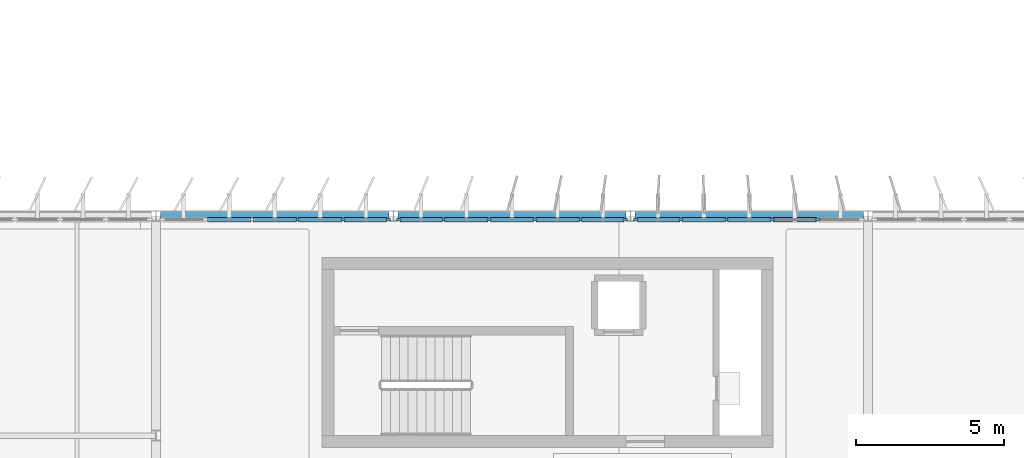
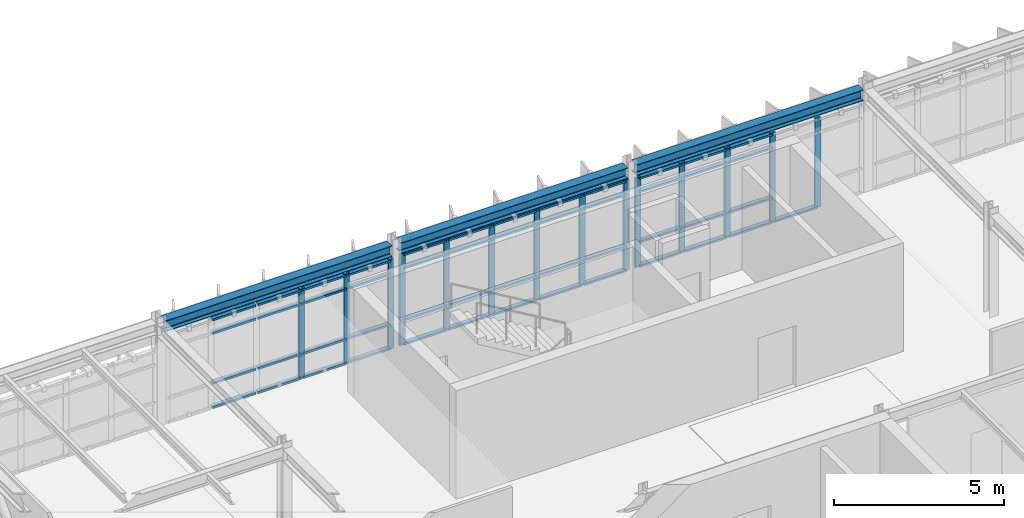
# One storey, part 13 of 45: 63 members, 3 beams, 3 elements without a shape of their own.
"""IFC4 building model written with IfcOpenShell, lengths in metres."""

from ifc_helpers import new_model, si_unit, direction, frame, origin, origin_2d, place, context, subcontext, project, spatial, rectangle, i_section, extrude, material, layer, layer_set, material_profile, profile_set, type_object, element, aggregate, save


model = new_model("IFC4")

# Units and contexts
model_context = context("Model", 3, precision=1e-05, world=origin(), true_north=direction((0.0, 1.0)))
body_context = subcontext(model_context, "Body", "Model", "MODEL_VIEW")
ifc_project = project(units=[si_unit("LENGTHUNIT", "METRE"), si_unit("AREAUNIT", "SQUARE_METRE"), si_unit("VOLUMEUNIT", "CUBIC_METRE"), si_unit("PLANEANGLEUNIT", "RADIAN"), si_unit("MASSUNIT", "GRAM", prefix="KILO")], contexts=[model_context])

# Site, building, storey
site_placement = place(None, origin())
site = spatial("IfcSite", under=ifc_project, at=site_placement, CompositionType="ELEMENT")
building_placement = place(site_placement, origin())
building = spatial("IfcBuilding", under=site, at=building_placement, Name="Valkorina Park Police Headquarters", CompositionType="ELEMENT")
storey_placement = place(building_placement, frame((0.0, 0.0, 23.300048828125)))
storey = spatial("IfcBuildingStorey", under=building, at=storey_placement, Name="L06", CompositionType="ELEMENT", Elevation=23.300048828125)

# Beams
ifc_material_1 = material(Name="Steel S355", Category="steel")
ifc_material_profile_1 = material_profile(ifc_material_1, i_section(OverallWidth=0.300048828125, OverallDepth=0.389892578125, WebThickness=0.010986328125, FlangeThickness=0.01904296875, FilletRadius=0.027099609375, at=origin_2d()), Name="HEA 400")
ifc_profile_set_1 = profile_set([ifc_material_profile_1], Name="Steel S355")
beam_type = type_object("IfcBeamType", Name="BM-S355-HEA400-SPN", PredefinedType="SPANDREL", material=ifc_profile_set_1)
for number, where, z_axis, x_axis, name in (
    (1, (32.949951171875, 59.199951171875, 3.48486328125), (1.0, 0.0, 0.0), (0.0, 1.0, 0.0), "L06 Framing Beam 2633"),
    (2, (40.949951171875, 59.199951171875, 3.48486328125), (1.0, 0.0, 0.0), (0.0, 1.0, 0.0), "L06 Framing Beam 2634"),
    (3, (48.949951171875, 59.199951171875, 3.48486328125), (1.0, 0.0, 0.0), (0.0, 1.0, 0.0), "L06 Framing Beam 2635"),
):
    element("IfcBeam", number, at=place(storey_placement, frame(where, z_axis=z_axis, x_axis=x_axis)), inside=storey, type_object=beam_type, Name=name, PredefinedType="SPANDREL", context=body_context, shape_type="SweptSolid", body=[
        extrude(i_section(OverallWidth=0.300048828125, OverallDepth=0.389892578125, WebThickness=0.010986328125, FlangeThickness=0.01904296875, FilletRadius=0.027099609375, at=origin_2d()), origin(), (0.0, 0.0, 1.0), 7.699951171875),
    ])

# Curtain wall, members
ifc_material_2 = material(Name="Thermally broken aluminium AW-6060", Category="aluminium")
ifc_layer_1 = layer(ifc_material_2, 0.18994140625)
ifc_layer_set_1 = layer_set([ifc_layer_1], Name="Thermally broken aluminium AW-6060")
curtain_wall_type_1 = type_object("IfcCurtainWallType", Name="CW-V5-7680x3220", PredefinedType="NOTDEFINED", material=ifc_layer_set_1)
curtain_wall_1_placement = place(storey_placement, origin())
curtain_wall_1 = element("IfcCurtainWall", 4, at=curtain_wall_1_placement, inside=storey, type_object=curtain_wall_type_1, Name="L06 Unitised Curtain Wall 104", PredefinedType="NOTDEFINED")
ifc_material_profile_2 = material_profile(ifc_material_2, rectangle(XDim=0.070068359375, YDim=0.18994140625, at=origin_2d()), Name="CWM-02 70x190")
ifc_profile_set_2 = profile_set([ifc_material_profile_2], Name="Thermally broken aluminium AW-6060")
member_type_1 = type_object("IfcMemberType", Name="CWM-70x190", PredefinedType="MULLION", material=ifc_profile_set_2)
member_1_placement = place(storey_placement, frame((37.568115234375, 59.080078125, 0.0), z_axis=(0.0, 0.0, 1.0), x_axis=(0.0, 1.0, 0.0)))
member_1 = element("IfcMember", 5, at=member_1_placement, type_object=member_type_1, Name="CW-V5-768-322 mullion 4", PredefinedType="MULLION", context=body_context, shape_type="SweptSolid", body=[
    extrude(rectangle(XDim=0.070068359375, YDim=0.18994140625, at=origin_2d()), origin(), (0.0, 0.0, 1.0), 3.219970703125),
])
member_2_placement = place(storey_placement, frame((39.10400390625, 59.080078125, 0.0), z_axis=(0.0, 0.0, 1.0), x_axis=(0.0, 1.0, 0.0)))
member_2 = element("IfcMember", 6, at=member_2_placement, type_object=member_type_1, Name="CW-V5-768-322 mullion 5", PredefinedType="MULLION", context=body_context, shape_type="SweptSolid", body=[
    extrude(rectangle(XDim=0.070068359375, YDim=0.18994140625, at=origin_2d()), origin(), (0.0, 0.0, 1.0), 3.219970703125),
])
member_3_placement = place(storey_placement, frame((40.60498046875, 59.080078125, 0.0), z_axis=(0.0, 0.0, 1.0), x_axis=(0.0, 1.0, 0.0)))
member_3 = element("IfcMember", 7, at=member_3_placement, type_object=member_type_1, Name="CW-V5-768-322 mullion 6", PredefinedType="MULLION", context=body_context, shape_type="SweptSolid", body=[
    extrude(rectangle(XDim=0.070068359375, YDim=0.18994140625, at=origin_2d()), origin(), (0.0, 0.0, 1.0), 3.219970703125),
])

ifc_layer_2 = layer(ifc_material_2, 0.18994140625)
ifc_layer_set_2 = layer_set([ifc_layer_2], Name="Thermally broken aluminium AW-6060")
curtain_wall_type_2 = type_object("IfcCurtainWallType", Name="CW-V5-7680x3280", PredefinedType="NOTDEFINED", material=ifc_layer_set_2)
curtain_wall_2_placement = place(storey_placement, origin())
curtain_wall_2 = element("IfcCurtainWall", 8, at=curtain_wall_2_placement, inside=storey, type_object=curtain_wall_type_2, Name="L06 Unitised Curtain Wall 105", PredefinedType="NOTDEFINED")
member_4_placement = place(storey_placement, frame((40.9951171875, 59.080078125, 0.0), z_axis=(0.0, 0.0, 1.0), x_axis=(0.0, 1.0, 0.0)))
member_4 = element("IfcMember", 9, at=member_4_placement, type_object=member_type_1, Name="CW-V5-768-328 mullion 1", PredefinedType="MULLION", context=body_context, shape_type="SweptSolid", body=[
    extrude(rectangle(XDim=0.070068359375, YDim=0.18994140625, at=origin_2d()), origin(), (0.0, 0.0, 1.0), 3.280029296875),
])
member_5_placement = place(storey_placement, frame((42.49609375, 59.080078125, 0.0), z_axis=(0.0, 0.0, 1.0), x_axis=(0.0, 1.0, 0.0)))
member_5 = element("IfcMember", 10, at=member_5_placement, type_object=member_type_1, Name="CW-V5-768-328 mullion 2", PredefinedType="MULLION", context=body_context, shape_type="SweptSolid", body=[
    extrude(rectangle(XDim=0.070068359375, YDim=0.18994140625, at=origin_2d()), origin(), (0.0, 0.0, 1.0), 3.280029296875),
])
member_6_placement = place(storey_placement, frame((44.031982421875, 59.080078125, 0.0), z_axis=(0.0, 0.0, 1.0), x_axis=(0.0, 1.0, 0.0)))
member_6 = element("IfcMember", 11, at=member_6_placement, type_object=member_type_1, Name="CW-V5-768-328 mullion 3", PredefinedType="MULLION", context=body_context, shape_type="SweptSolid", body=[
    extrude(rectangle(XDim=0.070068359375, YDim=0.18994140625, at=origin_2d()), origin(), (0.0, 0.0, 1.0), 3.280029296875),
])
member_7_placement = place(storey_placement, frame((45.568115234375, 59.080078125, 0.0), z_axis=(0.0, 0.0, 1.0), x_axis=(0.0, 1.0, 0.0)))
member_7 = element("IfcMember", 12, at=member_7_placement, type_object=member_type_1, Name="CW-V5-768-328 mullion 4", PredefinedType="MULLION", context=body_context, shape_type="SweptSolid", body=[
    extrude(rectangle(XDim=0.070068359375, YDim=0.18994140625, at=origin_2d()), origin(), (0.0, 0.0, 1.0), 3.280029296875),
])
member_8_placement = place(storey_placement, frame((47.10400390625, 59.080078125, 0.0), z_axis=(0.0, 0.0, 1.0), x_axis=(0.0, 1.0, 0.0)))
member_8 = element("IfcMember", 13, at=member_8_placement, type_object=member_type_1, Name="CW-V5-768-328 mullion 5", PredefinedType="MULLION", context=body_context, shape_type="SweptSolid", body=[
    extrude(rectangle(XDim=0.070068359375, YDim=0.18994140625, at=origin_2d()), origin(), (0.0, 0.0, 1.0), 3.280029296875),
])
member_9_placement = place(storey_placement, frame((48.60498046875, 59.080078125, 0.0), z_axis=(0.0, 0.0, 1.0), x_axis=(0.0, 1.0, 0.0)))
member_9 = element("IfcMember", 14, at=member_9_placement, type_object=member_type_1, Name="CW-V5-768-328 mullion 6", PredefinedType="MULLION", context=body_context, shape_type="SweptSolid", body=[
    extrude(rectangle(XDim=0.070068359375, YDim=0.18994140625, at=origin_2d()), origin(), (0.0, 0.0, 1.0), 3.280029296875),
])

curtain_wall_3_placement = place(storey_placement, origin())
curtain_wall_3 = element("IfcCurtainWall", 15, at=curtain_wall_3_placement, inside=storey, type_object=curtain_wall_type_1, Name="L06 Unitised Curtain Wall 106", PredefinedType="NOTDEFINED")
member_10_placement = place(storey_placement, frame((48.9951171875, 59.080078125, 0.0), z_axis=(0.0, 0.0, 1.0), x_axis=(0.0, 1.0, 0.0)))
member_10 = element("IfcMember", 16, at=member_10_placement, type_object=member_type_1, Name="CW-V5-768-322 mullion 1", PredefinedType="MULLION", context=body_context, shape_type="SweptSolid", body=[
    extrude(rectangle(XDim=0.070068359375, YDim=0.18994140625, at=origin_2d()), origin(), (0.0, 0.0, 1.0), 3.219970703125),
])
member_11_placement = place(storey_placement, frame((50.49609375, 59.080078125, 0.0), z_axis=(0.0, 0.0, 1.0), x_axis=(0.0, 1.0, 0.0)))
member_11 = element("IfcMember", 17, at=member_11_placement, type_object=member_type_1, Name="CW-V5-768-322 mullion 2", PredefinedType="MULLION", context=body_context, shape_type="SweptSolid", body=[
    extrude(rectangle(XDim=0.070068359375, YDim=0.18994140625, at=origin_2d()), origin(), (0.0, 0.0, 1.0), 3.219970703125),
])
member_12_placement = place(storey_placement, frame((52.031982421875, 59.080078125, 0.0), z_axis=(0.0, 0.0, 1.0), x_axis=(0.0, 1.0, 0.0)))
member_12 = element("IfcMember", 18, at=member_12_placement, type_object=member_type_1, Name="CW-V5-768-322 mullion 3", PredefinedType="MULLION", context=body_context, shape_type="SweptSolid", body=[
    extrude(rectangle(XDim=0.070068359375, YDim=0.18994140625, at=origin_2d()), origin(), (0.0, 0.0, 1.0), 3.219970703125),
])
member_13_placement = place(storey_placement, frame((53.568115234375, 59.080078125, 0.0), z_axis=(0.0, 0.0, 1.0), x_axis=(0.0, 1.0, 0.0)))
member_13 = element("IfcMember", 19, at=member_13_placement, type_object=member_type_1, Name="CW-V5-768-322 mullion 4", PredefinedType="MULLION", context=body_context, shape_type="SweptSolid", body=[
    extrude(rectangle(XDim=0.070068359375, YDim=0.18994140625, at=origin_2d()), origin(), (0.0, 0.0, 1.0), 3.219970703125),
])
member_14_placement = place(storey_placement, frame((55.10400390625, 59.080078125, 0.0), z_axis=(0.0, 0.0, 1.0), x_axis=(0.0, 1.0, 0.0)))
member_14 = element("IfcMember", 20, at=member_14_placement, type_object=member_type_1, Name="CW-V5-768-322 mullion 5", PredefinedType="MULLION", context=body_context, shape_type="SweptSolid", body=[
    extrude(rectangle(XDim=0.070068359375, YDim=0.18994140625, at=origin_2d()), origin(), (0.0, 0.0, 1.0), 3.219970703125),
])

# Member
ifc_material_profile_3 = material_profile(ifc_material_2, rectangle(XDim=0.14990234375, YDim=0.070068359375, at=origin_2d()), Name="CWT-02 150x70")
ifc_profile_set_3 = profile_set([ifc_material_profile_3], Name="Thermally broken aluminium AW-6060")
member_type_2 = type_object("IfcMemberType", Name="CWT-150x70", PredefinedType="USERDEFINED", material=ifc_profile_set_3)
member_15_placement = place(storey_placement, frame((34.531005859375, 59.080078125, 0.034912109375), z_axis=(1.0, 0.0, 0.0), x_axis=(0.0, 1.0, 0.0)))
member_15 = element("IfcMember", 21, at=member_15_placement, type_object=member_type_2, Name="CW-V5-768-322 transom 2.1", ObjectType="TRANSOM", PredefinedType="USERDEFINED", context=body_context, shape_type="SweptSolid", body=[
    extrude(rectangle(XDim=0.14990234375, YDim=0.070068359375, at=origin_2d()), origin(), (0.0, 0.0, 1.0), 1.466064453125),
])

member_16_placement = place(storey_placement, frame((34.531005859375, 59.080078125, 0.89990234375), z_axis=(1.0, 0.0, 0.0), x_axis=(0.0, 1.0, 0.0)))
member_16 = element("IfcMember", 22, at=member_16_placement, type_object=member_type_2, Name="CW-V5-768-322 transom 2.2", ObjectType="TRANSOM", PredefinedType="USERDEFINED", context=body_context, shape_type="SweptSolid", body=[
    extrude(rectangle(XDim=0.14990234375, YDim=0.070068359375, at=origin_2d()), origin(), (0.0, 0.0, 1.0), 1.466064453125),
])

member_17_placement = place(storey_placement, frame((34.531005859375, 59.080078125, 2.699951171875), z_axis=(1.0, 0.0, 0.0), x_axis=(0.0, 1.0, 0.0)))
member_17 = element("IfcMember", 23, at=member_17_placement, type_object=member_type_2, Name="CW-V5-768-322 transom 2.3", ObjectType="TRANSOM", PredefinedType="USERDEFINED", context=body_context, shape_type="SweptSolid", body=[
    extrude(rectangle(XDim=0.14990234375, YDim=0.070068359375, at=origin_2d()), origin(), (0.0, 0.0, 1.0), 1.466064453125),
])

member_18_placement = place(storey_placement, frame((34.531005859375, 59.080078125, 3.18505859375), z_axis=(1.0, 0.0, 0.0), x_axis=(0.0, 1.0, 0.0)))
member_18 = element("IfcMember", 24, at=member_18_placement, type_object=member_type_2, Name="CW-V5-768-322 transom 2.4", ObjectType="TRANSOM", PredefinedType="USERDEFINED", context=body_context, shape_type="SweptSolid", body=[
    extrude(rectangle(XDim=0.14990234375, YDim=0.070068359375, at=origin_2d()), origin(), (0.0, 0.0, 1.0), 1.466064453125),
])

member_19_placement = place(storey_placement, frame((36.06689453125, 59.080078125, 0.034912109375), z_axis=(1.0, 0.0, 0.0), x_axis=(0.0, 1.0, 0.0)))
member_19 = element("IfcMember", 25, at=member_19_placement, type_object=member_type_2, Name="CW-V5-768-322 transom 3.1", ObjectType="TRANSOM", PredefinedType="USERDEFINED", context=body_context, shape_type="SweptSolid", body=[
    extrude(rectangle(XDim=0.14990234375, YDim=0.070068359375, at=origin_2d()), origin(), (0.0, 0.0, 1.0), 1.466064453125),
])

member_20_placement = place(storey_placement, frame((36.06689453125, 59.080078125, 0.89990234375), z_axis=(1.0, 0.0, 0.0), x_axis=(0.0, 1.0, 0.0)))
member_20 = element("IfcMember", 26, at=member_20_placement, type_object=member_type_2, Name="CW-V5-768-322 transom 3.2", ObjectType="TRANSOM", PredefinedType="USERDEFINED", context=body_context, shape_type="SweptSolid", body=[
    extrude(rectangle(XDim=0.14990234375, YDim=0.070068359375, at=origin_2d()), origin(), (0.0, 0.0, 1.0), 1.466064453125),
])

member_21_placement = place(storey_placement, frame((36.06689453125, 59.080078125, 2.699951171875), z_axis=(1.0, 0.0, 0.0), x_axis=(0.0, 1.0, 0.0)))
member_21 = element("IfcMember", 27, at=member_21_placement, type_object=member_type_2, Name="CW-V5-768-322 transom 3.3", ObjectType="TRANSOM", PredefinedType="USERDEFINED", context=body_context, shape_type="SweptSolid", body=[
    extrude(rectangle(XDim=0.14990234375, YDim=0.070068359375, at=origin_2d()), origin(), (0.0, 0.0, 1.0), 1.466064453125),
])

member_22_placement = place(storey_placement, frame((36.06689453125, 59.080078125, 3.18505859375), z_axis=(1.0, 0.0, 0.0), x_axis=(0.0, 1.0, 0.0)))
member_22 = element("IfcMember", 28, at=member_22_placement, type_object=member_type_2, Name="CW-V5-768-322 transom 3.4", ObjectType="TRANSOM", PredefinedType="USERDEFINED", context=body_context, shape_type="SweptSolid", body=[
    extrude(rectangle(XDim=0.14990234375, YDim=0.070068359375, at=origin_2d()), origin(), (0.0, 0.0, 1.0), 1.466064453125),
])

member_23_placement = place(storey_placement, frame((37.60302734375, 59.080078125, 0.034912109375), z_axis=(1.0, 0.0, 0.0), x_axis=(0.0, 1.0, 0.0)))
member_23 = element("IfcMember", 29, at=member_23_placement, type_object=member_type_2, Name="CW-V5-768-322 transom 4.1", ObjectType="TRANSOM", PredefinedType="USERDEFINED", context=body_context, shape_type="SweptSolid", body=[
    extrude(rectangle(XDim=0.14990234375, YDim=0.070068359375, at=origin_2d()), origin(), (0.0, 0.0, 1.0), 1.466064453125),
])

member_24_placement = place(storey_placement, frame((37.60302734375, 59.080078125, 0.89990234375), z_axis=(1.0, 0.0, 0.0), x_axis=(0.0, 1.0, 0.0)))
member_24 = element("IfcMember", 30, at=member_24_placement, type_object=member_type_2, Name="CW-V5-768-322 transom 4.2", ObjectType="TRANSOM", PredefinedType="USERDEFINED", context=body_context, shape_type="SweptSolid", body=[
    extrude(rectangle(XDim=0.14990234375, YDim=0.070068359375, at=origin_2d()), origin(), (0.0, 0.0, 1.0), 1.466064453125),
])

member_25_placement = place(storey_placement, frame((37.60302734375, 59.080078125, 2.699951171875), z_axis=(1.0, 0.0, 0.0), x_axis=(0.0, 1.0, 0.0)))
member_25 = element("IfcMember", 31, at=member_25_placement, type_object=member_type_2, Name="CW-V5-768-322 transom 4.3", ObjectType="TRANSOM", PredefinedType="USERDEFINED", context=body_context, shape_type="SweptSolid", body=[
    extrude(rectangle(XDim=0.14990234375, YDim=0.070068359375, at=origin_2d()), origin(), (0.0, 0.0, 1.0), 1.466064453125),
])

member_26_placement = place(storey_placement, frame((37.60302734375, 59.080078125, 3.18505859375), z_axis=(1.0, 0.0, 0.0), x_axis=(0.0, 1.0, 0.0)))
member_26 = element("IfcMember", 32, at=member_26_placement, type_object=member_type_2, Name="CW-V5-768-322 transom 4.4", ObjectType="TRANSOM", PredefinedType="USERDEFINED", context=body_context, shape_type="SweptSolid", body=[
    extrude(rectangle(XDim=0.14990234375, YDim=0.070068359375, at=origin_2d()), origin(), (0.0, 0.0, 1.0), 1.466064453125),
])

member_27_placement = place(storey_placement, frame((39.138916015625, 59.080078125, 0.034912109375), z_axis=(1.0, 0.0, 0.0), x_axis=(0.0, 1.0, 0.0)))
member_27 = element("IfcMember", 33, at=member_27_placement, type_object=member_type_2, Name="CW-V5-768-322 transom 5.1", ObjectType="TRANSOM", PredefinedType="USERDEFINED", context=body_context, shape_type="SweptSolid", body=[
    extrude(rectangle(XDim=0.14990234375, YDim=0.070068359375, at=origin_2d()), origin(), (0.0, 0.0, 1.0), 1.43115234375),
])

member_28_placement = place(storey_placement, frame((39.138916015625, 59.080078125, 0.89990234375), z_axis=(1.0, 0.0, 0.0), x_axis=(0.0, 1.0, 0.0)))
member_28 = element("IfcMember", 34, at=member_28_placement, type_object=member_type_2, Name="CW-V5-768-322 transom 5.2", ObjectType="TRANSOM", PredefinedType="USERDEFINED", context=body_context, shape_type="SweptSolid", body=[
    extrude(rectangle(XDim=0.14990234375, YDim=0.070068359375, at=origin_2d()), origin(), (0.0, 0.0, 1.0), 1.43115234375),
])

member_29_placement = place(storey_placement, frame((39.138916015625, 59.080078125, 2.699951171875), z_axis=(1.0, 0.0, 0.0), x_axis=(0.0, 1.0, 0.0)))
member_29 = element("IfcMember", 35, at=member_29_placement, type_object=member_type_2, Name="CW-V5-768-322 transom 5.3", ObjectType="TRANSOM", PredefinedType="USERDEFINED", context=body_context, shape_type="SweptSolid", body=[
    extrude(rectangle(XDim=0.14990234375, YDim=0.070068359375, at=origin_2d()), origin(), (0.0, 0.0, 1.0), 1.43115234375),
])

member_30_placement = place(storey_placement, frame((39.138916015625, 59.080078125, 3.18505859375), z_axis=(1.0, 0.0, 0.0), x_axis=(0.0, 1.0, 0.0)))
member_30 = element("IfcMember", 36, at=member_30_placement, type_object=member_type_2, Name="CW-V5-768-322 transom 5.4", ObjectType="TRANSOM", PredefinedType="USERDEFINED", context=body_context, shape_type="SweptSolid", body=[
    extrude(rectangle(XDim=0.14990234375, YDim=0.070068359375, at=origin_2d()), origin(), (0.0, 0.0, 1.0), 1.43115234375),
])

aggregate(curtain_wall_1, [member_1, member_2, member_3, member_15, member_16, member_17, member_18, member_19, member_20, member_21, member_22, member_23, member_24, member_25, member_26, member_27, member_28, member_29, member_30])

member_31_placement = place(storey_placement, frame((41.030029296875, 59.080078125, 0.034912109375), z_axis=(1.0, 0.0, 0.0), x_axis=(0.0, 1.0, 0.0)))
member_31 = element("IfcMember", 37, at=member_31_placement, type_object=member_type_2, Name="CW-V5-768-328 transom 1.1", ObjectType="TRANSOM", PredefinedType="USERDEFINED", context=body_context, shape_type="SweptSolid", body=[
    extrude(rectangle(XDim=0.14990234375, YDim=0.070068359375, at=origin_2d()), origin(), (0.0, 0.0, 1.0), 1.430908203125),
])

member_32_placement = place(storey_placement, frame((41.030029296875, 59.080078125, 0.89990234375), z_axis=(1.0, 0.0, 0.0), x_axis=(0.0, 1.0, 0.0)))
member_32 = element("IfcMember", 38, at=member_32_placement, type_object=member_type_2, Name="CW-V5-768-328 transom 1.2", ObjectType="TRANSOM", PredefinedType="USERDEFINED", context=body_context, shape_type="SweptSolid", body=[
    extrude(rectangle(XDim=0.14990234375, YDim=0.070068359375, at=origin_2d()), origin(), (0.0, 0.0, 1.0), 1.430908203125),
])

member_33_placement = place(storey_placement, frame((41.030029296875, 59.080078125, 2.760009765625), z_axis=(1.0, 0.0, 0.0), x_axis=(0.0, 1.0, 0.0)))
member_33 = element("IfcMember", 39, at=member_33_placement, type_object=member_type_2, Name="CW-V5-768-328 transom 1.3", ObjectType="TRANSOM", PredefinedType="USERDEFINED", context=body_context, shape_type="SweptSolid", body=[
    extrude(rectangle(XDim=0.14990234375, YDim=0.070068359375, at=origin_2d()), origin(), (0.0, 0.0, 1.0), 1.430908203125),
])

member_34_placement = place(storey_placement, frame((41.030029296875, 59.080078125, 3.244873046875), z_axis=(1.0, 0.0, 0.0), x_axis=(0.0, 1.0, 0.0)))
member_34 = element("IfcMember", 40, at=member_34_placement, type_object=member_type_2, Name="CW-V5-768-328 transom 1.4", ObjectType="TRANSOM", PredefinedType="USERDEFINED", context=body_context, shape_type="SweptSolid", body=[
    extrude(rectangle(XDim=0.14990234375, YDim=0.070068359375, at=origin_2d()), origin(), (0.0, 0.0, 1.0), 1.430908203125),
])

member_35_placement = place(storey_placement, frame((42.531005859375, 59.080078125, 0.034912109375), z_axis=(1.0, 0.0, 0.0), x_axis=(0.0, 1.0, 0.0)))
member_35 = element("IfcMember", 41, at=member_35_placement, type_object=member_type_2, Name="CW-V5-768-328 transom 2.1", ObjectType="TRANSOM", PredefinedType="USERDEFINED", context=body_context, shape_type="SweptSolid", body=[
    extrude(rectangle(XDim=0.14990234375, YDim=0.070068359375, at=origin_2d()), origin(), (0.0, 0.0, 1.0), 1.466064453125),
])

member_36_placement = place(storey_placement, frame((42.531005859375, 59.080078125, 0.89990234375), z_axis=(1.0, 0.0, 0.0), x_axis=(0.0, 1.0, 0.0)))
member_36 = element("IfcMember", 42, at=member_36_placement, type_object=member_type_2, Name="CW-V5-768-328 transom 2.2", ObjectType="TRANSOM", PredefinedType="USERDEFINED", context=body_context, shape_type="SweptSolid", body=[
    extrude(rectangle(XDim=0.14990234375, YDim=0.070068359375, at=origin_2d()), origin(), (0.0, 0.0, 1.0), 1.466064453125),
])

member_37_placement = place(storey_placement, frame((42.531005859375, 59.080078125, 2.760009765625), z_axis=(1.0, 0.0, 0.0), x_axis=(0.0, 1.0, 0.0)))
member_37 = element("IfcMember", 43, at=member_37_placement, type_object=member_type_2, Name="CW-V5-768-328 transom 2.3", ObjectType="TRANSOM", PredefinedType="USERDEFINED", context=body_context, shape_type="SweptSolid", body=[
    extrude(rectangle(XDim=0.14990234375, YDim=0.070068359375, at=origin_2d()), origin(), (0.0, 0.0, 1.0), 1.466064453125),
])

member_38_placement = place(storey_placement, frame((42.531005859375, 59.080078125, 3.244873046875), z_axis=(1.0, 0.0, 0.0), x_axis=(0.0, 1.0, 0.0)))
member_38 = element("IfcMember", 44, at=member_38_placement, type_object=member_type_2, Name="CW-V5-768-328 transom 2.4", ObjectType="TRANSOM", PredefinedType="USERDEFINED", context=body_context, shape_type="SweptSolid", body=[
    extrude(rectangle(XDim=0.14990234375, YDim=0.070068359375, at=origin_2d()), origin(), (0.0, 0.0, 1.0), 1.466064453125),
])

member_39_placement = place(storey_placement, frame((44.06689453125, 59.080078125, 0.034912109375), z_axis=(1.0, 0.0, 0.0), x_axis=(0.0, 1.0, 0.0)))
member_39 = element("IfcMember", 45, at=member_39_placement, type_object=member_type_2, Name="CW-V5-768-328 transom 3.1", ObjectType="TRANSOM", PredefinedType="USERDEFINED", context=body_context, shape_type="SweptSolid", body=[
    extrude(rectangle(XDim=0.14990234375, YDim=0.070068359375, at=origin_2d()), origin(), (0.0, 0.0, 1.0), 1.466064453125),
])

member_40_placement = place(storey_placement, frame((44.06689453125, 59.080078125, 0.89990234375), z_axis=(1.0, 0.0, 0.0), x_axis=(0.0, 1.0, 0.0)))
member_40 = element("IfcMember", 46, at=member_40_placement, type_object=member_type_2, Name="CW-V5-768-328 transom 3.2", ObjectType="TRANSOM", PredefinedType="USERDEFINED", context=body_context, shape_type="SweptSolid", body=[
    extrude(rectangle(XDim=0.14990234375, YDim=0.070068359375, at=origin_2d()), origin(), (0.0, 0.0, 1.0), 1.466064453125),
])

member_41_placement = place(storey_placement, frame((44.06689453125, 59.080078125, 2.760009765625), z_axis=(1.0, 0.0, 0.0), x_axis=(0.0, 1.0, 0.0)))
member_41 = element("IfcMember", 47, at=member_41_placement, type_object=member_type_2, Name="CW-V5-768-328 transom 3.3", ObjectType="TRANSOM", PredefinedType="USERDEFINED", context=body_context, shape_type="SweptSolid", body=[
    extrude(rectangle(XDim=0.14990234375, YDim=0.070068359375, at=origin_2d()), origin(), (0.0, 0.0, 1.0), 1.466064453125),
])

member_42_placement = place(storey_placement, frame((44.06689453125, 59.080078125, 3.244873046875), z_axis=(1.0, 0.0, 0.0), x_axis=(0.0, 1.0, 0.0)))
member_42 = element("IfcMember", 48, at=member_42_placement, type_object=member_type_2, Name="CW-V5-768-328 transom 3.4", ObjectType="TRANSOM", PredefinedType="USERDEFINED", context=body_context, shape_type="SweptSolid", body=[
    extrude(rectangle(XDim=0.14990234375, YDim=0.070068359375, at=origin_2d()), origin(), (0.0, 0.0, 1.0), 1.466064453125),
])

member_43_placement = place(storey_placement, frame((45.60302734375, 59.080078125, 0.034912109375), z_axis=(1.0, 0.0, 0.0), x_axis=(0.0, 1.0, 0.0)))
member_43 = element("IfcMember", 49, at=member_43_placement, type_object=member_type_2, Name="CW-V5-768-328 transom 4.1", ObjectType="TRANSOM", PredefinedType="USERDEFINED", context=body_context, shape_type="SweptSolid", body=[
    extrude(rectangle(XDim=0.14990234375, YDim=0.070068359375, at=origin_2d()), origin(), (0.0, 0.0, 1.0), 1.466064453125),
])

member_44_placement = place(storey_placement, frame((45.60302734375, 59.080078125, 0.89990234375), z_axis=(1.0, 0.0, 0.0), x_axis=(0.0, 1.0, 0.0)))
member_44 = element("IfcMember", 50, at=member_44_placement, type_object=member_type_2, Name="CW-V5-768-328 transom 4.2", ObjectType="TRANSOM", PredefinedType="USERDEFINED", context=body_context, shape_type="SweptSolid", body=[
    extrude(rectangle(XDim=0.14990234375, YDim=0.070068359375, at=origin_2d()), origin(), (0.0, 0.0, 1.0), 1.466064453125),
])

member_45_placement = place(storey_placement, frame((45.60302734375, 59.080078125, 2.760009765625), z_axis=(1.0, 0.0, 0.0), x_axis=(0.0, 1.0, 0.0)))
member_45 = element("IfcMember", 51, at=member_45_placement, type_object=member_type_2, Name="CW-V5-768-328 transom 4.3", ObjectType="TRANSOM", PredefinedType="USERDEFINED", context=body_context, shape_type="SweptSolid", body=[
    extrude(rectangle(XDim=0.14990234375, YDim=0.070068359375, at=origin_2d()), origin(), (0.0, 0.0, 1.0), 1.466064453125),
])

member_46_placement = place(storey_placement, frame((45.60302734375, 59.080078125, 3.244873046875), z_axis=(1.0, 0.0, 0.0), x_axis=(0.0, 1.0, 0.0)))
member_46 = element("IfcMember", 52, at=member_46_placement, type_object=member_type_2, Name="CW-V5-768-328 transom 4.4", ObjectType="TRANSOM", PredefinedType="USERDEFINED", context=body_context, shape_type="SweptSolid", body=[
    extrude(rectangle(XDim=0.14990234375, YDim=0.070068359375, at=origin_2d()), origin(), (0.0, 0.0, 1.0), 1.466064453125),
])

member_47_placement = place(storey_placement, frame((47.138916015625, 59.080078125, 0.034912109375), z_axis=(1.0, 0.0, 0.0), x_axis=(0.0, 1.0, 0.0)))
member_47 = element("IfcMember", 53, at=member_47_placement, type_object=member_type_2, Name="CW-V5-768-328 transom 5.1", ObjectType="TRANSOM", PredefinedType="USERDEFINED", context=body_context, shape_type="SweptSolid", body=[
    extrude(rectangle(XDim=0.14990234375, YDim=0.070068359375, at=origin_2d()), origin(), (0.0, 0.0, 1.0), 1.43115234375),
])

member_48_placement = place(storey_placement, frame((47.138916015625, 59.080078125, 0.89990234375), z_axis=(1.0, 0.0, 0.0), x_axis=(0.0, 1.0, 0.0)))
member_48 = element("IfcMember", 54, at=member_48_placement, type_object=member_type_2, Name="CW-V5-768-328 transom 5.2", ObjectType="TRANSOM", PredefinedType="USERDEFINED", context=body_context, shape_type="SweptSolid", body=[
    extrude(rectangle(XDim=0.14990234375, YDim=0.070068359375, at=origin_2d()), origin(), (0.0, 0.0, 1.0), 1.43115234375),
])

member_49_placement = place(storey_placement, frame((47.138916015625, 59.080078125, 2.760009765625), z_axis=(1.0, 0.0, 0.0), x_axis=(0.0, 1.0, 0.0)))
member_49 = element("IfcMember", 55, at=member_49_placement, type_object=member_type_2, Name="CW-V5-768-328 transom 5.3", ObjectType="TRANSOM", PredefinedType="USERDEFINED", context=body_context, shape_type="SweptSolid", body=[
    extrude(rectangle(XDim=0.14990234375, YDim=0.070068359375, at=origin_2d()), origin(), (0.0, 0.0, 1.0), 1.43115234375),
])

member_50_placement = place(storey_placement, frame((47.138916015625, 59.080078125, 3.244873046875), z_axis=(1.0, 0.0, 0.0), x_axis=(0.0, 1.0, 0.0)))
member_50 = element("IfcMember", 56, at=member_50_placement, type_object=member_type_2, Name="CW-V5-768-328 transom 5.4", ObjectType="TRANSOM", PredefinedType="USERDEFINED", context=body_context, shape_type="SweptSolid", body=[
    extrude(rectangle(XDim=0.14990234375, YDim=0.070068359375, at=origin_2d()), origin(), (0.0, 0.0, 1.0), 1.43115234375),
])

aggregate(curtain_wall_2, [member_4, member_5, member_6, member_7, member_8, member_9, member_31, member_32, member_33, member_34, member_35, member_36, member_37, member_38, member_39, member_40, member_41, member_42, member_43, member_44, member_45, member_46, member_47, member_48, member_49, member_50])

member_51_placement = place(storey_placement, frame((49.030029296875, 59.080078125, 0.034912109375), z_axis=(1.0, 0.0, 0.0), x_axis=(0.0, 1.0, 0.0)))
member_51 = element("IfcMember", 57, at=member_51_placement, type_object=member_type_2, Name="CW-V5-768-322 transom 1.1", ObjectType="TRANSOM", PredefinedType="USERDEFINED", context=body_context, shape_type="SweptSolid", body=[
    extrude(rectangle(XDim=0.14990234375, YDim=0.070068359375, at=origin_2d()), origin(), (0.0, 0.0, 1.0), 1.430908203125),
])

member_52_placement = place(storey_placement, frame((49.030029296875, 59.080078125, 0.89990234375), z_axis=(1.0, 0.0, 0.0), x_axis=(0.0, 1.0, 0.0)))
member_52 = element("IfcMember", 58, at=member_52_placement, type_object=member_type_2, Name="CW-V5-768-322 transom 1.2", ObjectType="TRANSOM", PredefinedType="USERDEFINED", context=body_context, shape_type="SweptSolid", body=[
    extrude(rectangle(XDim=0.14990234375, YDim=0.070068359375, at=origin_2d()), origin(), (0.0, 0.0, 1.0), 1.430908203125),
])

member_53_placement = place(storey_placement, frame((49.030029296875, 59.080078125, 2.699951171875), z_axis=(1.0, 0.0, 0.0), x_axis=(0.0, 1.0, 0.0)))
member_53 = element("IfcMember", 59, at=member_53_placement, type_object=member_type_2, Name="CW-V5-768-322 transom 1.3", ObjectType="TRANSOM", PredefinedType="USERDEFINED", context=body_context, shape_type="SweptSolid", body=[
    extrude(rectangle(XDim=0.14990234375, YDim=0.070068359375, at=origin_2d()), origin(), (0.0, 0.0, 1.0), 1.430908203125),
])

member_54_placement = place(storey_placement, frame((49.030029296875, 59.080078125, 3.18505859375), z_axis=(1.0, 0.0, 0.0), x_axis=(0.0, 1.0, 0.0)))
member_54 = element("IfcMember", 60, at=member_54_placement, type_object=member_type_2, Name="CW-V5-768-322 transom 1.4", ObjectType="TRANSOM", PredefinedType="USERDEFINED", context=body_context, shape_type="SweptSolid", body=[
    extrude(rectangle(XDim=0.14990234375, YDim=0.070068359375, at=origin_2d()), origin(), (0.0, 0.0, 1.0), 1.430908203125),
])

member_55_placement = place(storey_placement, frame((50.531005859375, 59.080078125, 0.034912109375), z_axis=(1.0, 0.0, 0.0), x_axis=(0.0, 1.0, 0.0)))
member_55 = element("IfcMember", 61, at=member_55_placement, type_object=member_type_2, Name="CW-V5-768-322 transom 2.1", ObjectType="TRANSOM", PredefinedType="USERDEFINED", context=body_context, shape_type="SweptSolid", body=[
    extrude(rectangle(XDim=0.14990234375, YDim=0.070068359375, at=origin_2d()), origin(), (0.0, 0.0, 1.0), 1.466064453125),
])

member_56_placement = place(storey_placement, frame((50.531005859375, 59.080078125, 0.89990234375), z_axis=(1.0, 0.0, 0.0), x_axis=(0.0, 1.0, 0.0)))
member_56 = element("IfcMember", 62, at=member_56_placement, type_object=member_type_2, Name="CW-V5-768-322 transom 2.2", ObjectType="TRANSOM", PredefinedType="USERDEFINED", context=body_context, shape_type="SweptSolid", body=[
    extrude(rectangle(XDim=0.14990234375, YDim=0.070068359375, at=origin_2d()), origin(), (0.0, 0.0, 1.0), 1.466064453125),
])

member_57_placement = place(storey_placement, frame((50.531005859375, 59.080078125, 2.699951171875), z_axis=(1.0, 0.0, 0.0), x_axis=(0.0, 1.0, 0.0)))
member_57 = element("IfcMember", 63, at=member_57_placement, type_object=member_type_2, Name="CW-V5-768-322 transom 2.3", ObjectType="TRANSOM", PredefinedType="USERDEFINED", context=body_context, shape_type="SweptSolid", body=[
    extrude(rectangle(XDim=0.14990234375, YDim=0.070068359375, at=origin_2d()), origin(), (0.0, 0.0, 1.0), 1.466064453125),
])

member_58_placement = place(storey_placement, frame((50.531005859375, 59.080078125, 3.18505859375), z_axis=(1.0, 0.0, 0.0), x_axis=(0.0, 1.0, 0.0)))
member_58 = element("IfcMember", 64, at=member_58_placement, type_object=member_type_2, Name="CW-V5-768-322 transom 2.4", ObjectType="TRANSOM", PredefinedType="USERDEFINED", context=body_context, shape_type="SweptSolid", body=[
    extrude(rectangle(XDim=0.14990234375, YDim=0.070068359375, at=origin_2d()), origin(), (0.0, 0.0, 1.0), 1.466064453125),
])

member_59_placement = place(storey_placement, frame((52.06689453125, 59.080078125, 0.034912109375), z_axis=(1.0, 0.0, 0.0), x_axis=(0.0, 1.0, 0.0)))
member_59 = element("IfcMember", 65, at=member_59_placement, type_object=member_type_2, Name="CW-V5-768-322 transom 3.1", ObjectType="TRANSOM", PredefinedType="USERDEFINED", context=body_context, shape_type="SweptSolid", body=[
    extrude(rectangle(XDim=0.14990234375, YDim=0.070068359375, at=origin_2d()), origin(), (0.0, 0.0, 1.0), 1.466064453125),
])

member_60_placement = place(storey_placement, frame((52.06689453125, 59.080078125, 0.89990234375), z_axis=(1.0, 0.0, 0.0), x_axis=(0.0, 1.0, 0.0)))
member_60 = element("IfcMember", 66, at=member_60_placement, type_object=member_type_2, Name="CW-V5-768-322 transom 3.2", ObjectType="TRANSOM", PredefinedType="USERDEFINED", context=body_context, shape_type="SweptSolid", body=[
    extrude(rectangle(XDim=0.14990234375, YDim=0.070068359375, at=origin_2d()), origin(), (0.0, 0.0, 1.0), 1.466064453125),
])

member_61_placement = place(storey_placement, frame((52.06689453125, 59.080078125, 2.699951171875), z_axis=(1.0, 0.0, 0.0), x_axis=(0.0, 1.0, 0.0)))
member_61 = element("IfcMember", 67, at=member_61_placement, type_object=member_type_2, Name="CW-V5-768-322 transom 3.3", ObjectType="TRANSOM", PredefinedType="USERDEFINED", context=body_context, shape_type="SweptSolid", body=[
    extrude(rectangle(XDim=0.14990234375, YDim=0.070068359375, at=origin_2d()), origin(), (0.0, 0.0, 1.0), 1.466064453125),
])

member_62_placement = place(storey_placement, frame((52.06689453125, 59.080078125, 3.18505859375), z_axis=(1.0, 0.0, 0.0), x_axis=(0.0, 1.0, 0.0)))
member_62 = element("IfcMember", 68, at=member_62_placement, type_object=member_type_2, Name="CW-V5-768-322 transom 3.4", ObjectType="TRANSOM", PredefinedType="USERDEFINED", context=body_context, shape_type="SweptSolid", body=[
    extrude(rectangle(XDim=0.14990234375, YDim=0.070068359375, at=origin_2d()), origin(), (0.0, 0.0, 1.0), 1.466064453125),
])

member_63_placement = place(storey_placement, frame((53.60302734375, 59.080078125, 0.034912109375), z_axis=(1.0, 0.0, 0.0), x_axis=(0.0, 1.0, 0.0)))
member_63 = element("IfcMember", 69, at=member_63_placement, type_object=member_type_2, Name="CW-V5-768-322 transom 4.1", ObjectType="TRANSOM", PredefinedType="USERDEFINED", context=body_context, shape_type="SweptSolid", body=[
    extrude(rectangle(XDim=0.14990234375, YDim=0.070068359375, at=origin_2d()), origin(), (0.0, 0.0, 1.0), 1.466064453125),
])

aggregate(curtain_wall_3, [member_10, member_11, member_12, member_13, member_14, member_51, member_52, member_53, member_54, member_55, member_56, member_57, member_58, member_59, member_60, member_61, member_62, member_63])

save(model, "model.ifc")
